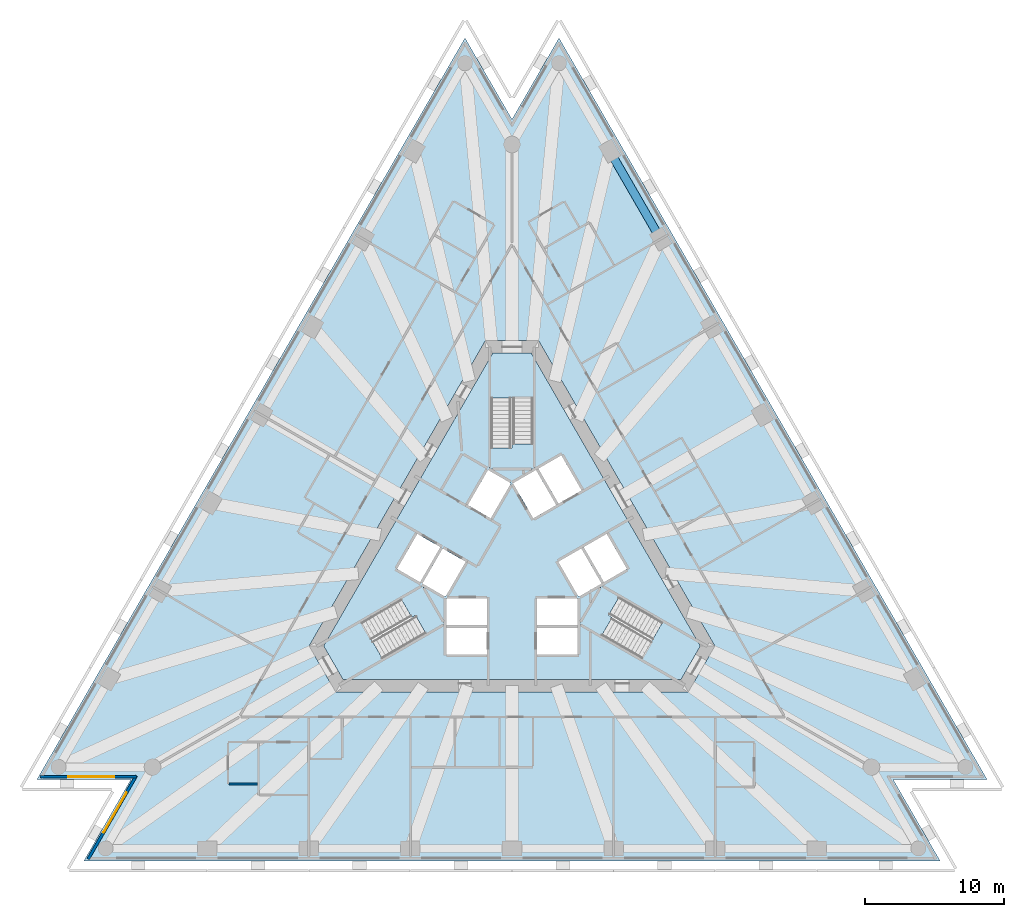
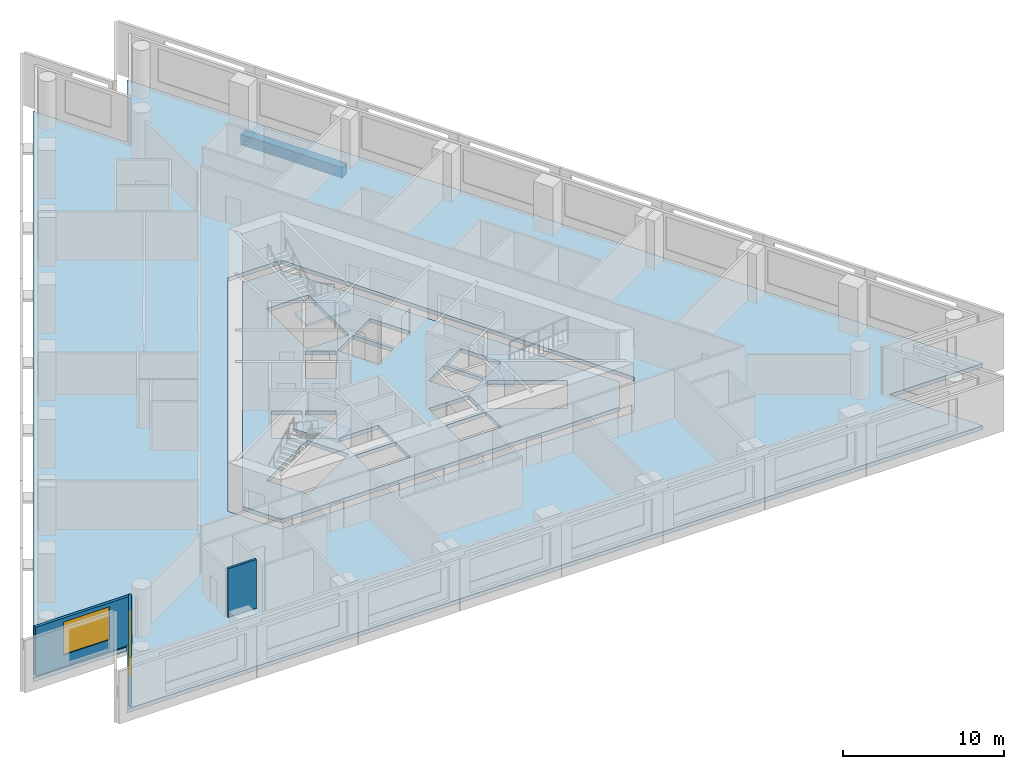
# One storey, part 2 of 11: 5 slabs, 3 walls, 2 windows, 1 beam, 2 openings, 3 elements without a shape of their own.
"""IFC4 building model written with IfcOpenShell, lengths in metres."""

from ifc_helpers import new_model, si_unit, direction, frame, frame_2d, origin, origin_2d, place, context, subcontext, project, spatial, polyline, rectangle, outline, extrude, material, layer, layer_set, layer_usage, material_profile, profile_set, type_object, element, fill, aggregate, save


model = new_model("IFC4")

# Units and contexts
model_context = context("Model", 3, precision=1e-05, world=origin(), true_north=direction((0.0, 1.0)))
body_context = subcontext(model_context, "Body", "Model", "MODEL_VIEW")
ifc_project = project(units=[si_unit("LENGTHUNIT", "METRE"), si_unit("AREAUNIT", "SQUARE_METRE"), si_unit("VOLUMEUNIT", "CUBIC_METRE"), si_unit("PLANEANGLEUNIT", "RADIAN"), si_unit("MASSUNIT", "GRAM", prefix="KILO")], contexts=[model_context])

# Site, building, storey
site_placement = place(None, origin())
site = spatial("IfcSite", under=ifc_project, at=site_placement, CompositionType="ELEMENT")
building_placement = place(site_placement, origin())
building = spatial("IfcBuilding", under=site, at=building_placement, Name="Triada Interchange Tower", CompositionType="ELEMENT")
storey_placement = place(building_placement, frame((0.0, 0.0, 71.300048828125)))
storey = spatial("IfcBuildingStorey", under=building, at=storey_placement, Name="L15", CompositionType="ELEMENT", Elevation=71.300048828125)

# Beam
ifc_material_1 = material(Name="Concrete C50/60", Category="concrete")
ifc_material_profile = material_profile(ifc_material_1, rectangle(XDim=0.60009765625, YDim=0.800048828125, at=origin_2d()), Name="RC 600x800")
ifc_profile_set = profile_set([ifc_material_profile], Name="Concrete C50/60")
beam_type = type_object("IfcBeamType", Name="Spandrel beam A RC 600x800", PredefinedType="BEAM", material=ifc_profile_set)
beam_placement = place(storey_placement, frame((10.657958984375, 22.98388671875, -0.699951171875), z_axis=(-0.499937067856, 0.866061734626, 0.0), x_axis=(-0.866061734626, -0.499937067856, 0.0)))
element("IfcBeam", 1, at=beam_placement, inside=storey, type_object=beam_type, Name="Spandrel beam EA27 L15", PredefinedType="BEAM", context=body_context, shape_type="SweptSolid", body=[
    extrude(rectangle(XDim=0.60009765625, YDim=0.800048828125, at=origin_2d()), origin(), (0.0, 0.0, 1.0), 7.287109375),
])

# Slabs
ifc_layer_1 = layer(ifc_material_1, 0.300048828125)
ifc_layer_set_1 = layer_set([ifc_layer_1], Name="Floor slab 300")
slab_type_1 = type_object("IfcSlabType", Name="Floor slab 300", PredefinedType="FLOOR", material=ifc_layer_set_1)
slab_1_placement = place(storey_placement, frame((0.0, 0.0, -0.300048828125)))
element("IfcSlab", 2, at=slab_1_placement, inside=storey, type_object=slab_type_1, Name="Floor slab L15", PredefinedType="FLOOR", context=body_context, shape_type="SweptSolid", body=[
    extrude(outline(polyline([(-3.37109375, 37.406005859375), (-34.080078125, -15.783935546875), (-27.339111328125, -15.783935546875), (-30.708984375, -21.6220703125), (30.708984375, -21.6220703125), (27.339111328125, -15.783935546875), (34.080078125, -15.783935546875), (3.37109375, 37.406005859375), (0.0, 31.568115234375), (-3.37109375, 37.406005859375)]), holes=[polyline([(1.905029296875, 15.699951171875), (-1.905029296875, 15.699951171875), (-14.549072265625, -6.199951171875), (-12.64404296875, -9.5), (12.64404296875, -9.5), (14.549072265625, -6.199951171875), (1.905029296875, 15.699951171875)])]), origin(), (0.0, 0.0, 1.0), 0.300048828125),
])
slab_2_placement = place(storey_placement, frame((0.0, 0.0, -0.300048828125)))
element("IfcSlab", 3, at=slab_2_placement, inside=storey, type_object=slab_type_1, Name="Core floor slab L15 1", PredefinedType="FLOOR", context=body_context, shape_type="SweptSolid", body=[
    extrude(outline(polyline([(13.510009765625, -6.199951171875), (12.1240234375, -8.60009765625), (-12.1240234375, -8.60009765625), (-13.510009765625, -6.199951171875), (-1.385986328125, 14.800048828125), (1.385986328125, 14.800048828125), (13.510009765625, -6.199951171875)]), holes=[polyline([(9.2958984375, -7.09912109375), (10.7958984375, -4.5009765625), (6.466064453125, -2.0009765625), (4.966064453125, -4.59912109375), (9.2958984375, -7.09912109375)]), polyline([(6.7890625, 1.841064453125), (5.14404296875, 0.89111328125), (6.593994140625, -1.6201171875), (8.239013671875, -0.669921875), (6.7890625, 1.841064453125)]), polyline([(4.969970703125, 0.791015625), (3.324951171875, -0.158935546875), (4.77490234375, -2.669921875), (6.419921875, -1.719970703125), (4.969970703125, 0.791015625)]), polyline([(1.89404296875, 6.52001953125), (3.343994140625, 4.009033203125), (4.989013671875, 4.958984375), (3.5390625, 7.469970703125), (1.89404296875, 6.52001953125)]), polyline([(1.800048828125, -4.89990234375), (1.800048828125, -6.800048828125), (4.699951171875, -6.800048828125), (4.699951171875, -4.89990234375), (1.800048828125, -4.89990234375)]), polyline([(1.800048828125, -2.800048828125), (1.800048828125, -4.031005859375), (1.800048828125, -4.699951171875), (4.699951171875, -4.699951171875), (4.699951171875, -2.800048828125), (1.800048828125, -2.800048828125)]), polyline([(1.52490234375, 2.958984375), (1.68408203125, 3.051025390625), (3.169921875, 3.908935546875), (1.719970703125, 6.419921875), (0.074951171875, 5.469970703125), (1.52490234375, 2.958984375)]), polyline([(1.5, 11.60009765625), (-1.5, 11.60009765625), (-1.5, 6.60009765625), (1.5, 6.60009765625), (1.5, 11.60009765625)]), polyline([(-0.074951171875, 5.469970703125), (-1.719970703125, 6.419921875), (-3.169921875, 3.908935546875), (-1.6298828125, 3.01904296875), (-1.52490234375, 2.958984375), (-0.074951171875, 5.469970703125)]), polyline([(-4.699951171875, -2.800048828125), (-4.699951171875, -4.699951171875), (-1.800048828125, -4.699951171875), (-1.800048828125, -4.031005859375), (-1.800048828125, -2.800048828125), (-4.699951171875, -2.800048828125)]), polyline([(-4.699951171875, -4.89990234375), (-4.699951171875, -6.800048828125), (-1.800048828125, -6.800048828125), (-1.800048828125, -4.89990234375), (-4.699951171875, -4.89990234375)]), polyline([(-4.77490234375, -2.669921875), (-3.324951171875, -0.158935546875), (-4.969970703125, 0.791015625), (-6.419921875, -1.719970703125), (-4.77490234375, -2.669921875)]), polyline([(-10.7958984375, -4.5009765625), (-9.2958984375, -7.09912109375), (-4.966064453125, -4.59912109375), (-6.466064453125, -2.0009765625), (-10.7958984375, -4.5009765625)]), polyline([(-6.593994140625, -1.6201171875), (-5.14404296875, 0.89111328125), (-6.7890625, 1.841064453125), (-8.239013671875, -0.669921875), (-6.593994140625, -1.6201171875)])]), origin(), (0.0, 0.0, 1.0), 0.300048828125),
])

# Stair, slab
ifc_material_2 = material(Name="Concrete C35/45", Category="concrete")
stair_type = type_object("IfcStairType", Name="HALF TURN STAIR 1400", PredefinedType="HALF_TURN_STAIR", material=ifc_material_2)
stair_1_placement = place(storey_placement, origin())
stair_1 = element("IfcStair", 4, at=stair_1_placement, inside=storey, type_object=stair_type, Name="Exit stair S15-1", PredefinedType="HALF_TURN_STAIR")
ifc_layer_2 = layer(ifc_material_2, 0.199951171875)
ifc_layer_set_2 = layer_set([ifc_layer_2], Name="STAIR LANDING 200")
slab_type_2 = type_object("IfcSlabType", Name="STAIR LANDING 200", PredefinedType="LANDING", material=ifc_layer_set_2)
slab_3_placement = place(storey_placement, frame((0.0, 0.0, 1.719970703125)))
slab_3 = element("IfcSlab", 5, at=slab_3_placement, type_object=slab_type_2, Name="S15-1 landing 1", PredefinedType="LANDING", context=body_context, shape_type="SweptSolid", body=[
    extrude(outline(polyline([(1.60009765625, 6.5), (1.60009765625, 8.300048828125), (0.0, 8.300048828125), (0.0, 8.0), (-1.60009765625, 8.0), (-1.60009765625, 6.5), (1.60009765625, 6.5)])), origin(), (0.0, 0.0, 1.0), 0.199951171875),
])
aggregate(stair_1, [slab_3])

stair_2_placement = place(storey_placement, origin())
stair_2 = element("IfcStair", 6, at=stair_2_placement, inside=storey, type_object=stair_type, Name="Exit stair S15-2", PredefinedType="HALF_TURN_STAIR")
slab_4_placement = place(storey_placement, frame((0.0, 0.0, 1.719970703125)))
slab_4 = element("IfcSlab", 7, at=slab_4_placement, type_object=slab_type_2, Name="S15-2 landing 1", PredefinedType="LANDING", context=body_context, shape_type="SweptSolid", body=[
    extrude(outline(polyline([(-6.428955078125, -1.864013671875), (-7.988037109375, -2.763916015625), (-7.18798828125, -4.14990234375), (-6.927978515625, -4.0), (-6.1279296875, -5.385986328125), (-4.8291015625, -4.635986328125), (-6.428955078125, -1.864013671875)])), origin(), (0.0, 0.0, 1.0), 0.199951171875),
])
aggregate(stair_2, [slab_4])

stair_3_placement = place(storey_placement, origin())
stair_3 = element("IfcStair", 8, at=stair_3_placement, inside=storey, type_object=stair_type, Name="Exit stair S15-3", PredefinedType="HALF_TURN_STAIR")
slab_5_placement = place(storey_placement, frame((0.0, 0.0, 1.719970703125)))
slab_5 = element("IfcSlab", 9, at=slab_5_placement, type_object=slab_type_2, Name="S15-3 landing 1", PredefinedType="LANDING", context=body_context, shape_type="SweptSolid", body=[
    extrude(outline(polyline([(4.8291015625, -4.635986328125), (6.387939453125, -5.535888671875), (7.18798828125, -4.14990234375), (6.927978515625, -4.0), (7.72802734375, -2.614013671875), (6.428955078125, -1.864013671875), (4.8291015625, -4.635986328125)])), origin(), (0.0, 0.0, 1.0), 0.199951171875),
])
aggregate(stair_3, [slab_5])

# Wall, opening, window
ifc_material_3 = material(Name="Cement board")
ifc_layer_3 = layer(ifc_material_3, 0.02001953125, Name="Cement board cladding")
ifc_material_4 = material(Name="Sheathing board")
ifc_layer_4 = layer(ifc_material_4, 0.014892578125, Name="Sheathing board")
ifc_material_5 = material(Name="Mineral wool")
ifc_layer_5 = layer(ifc_material_5, 0.14990234375, Name="Mineral wool between steel studs")
ifc_material_6 = material(Name="Gypsum board")
ifc_layer_6 = layer(ifc_material_6, 0.014892578125, Name="Plasterboard lining")
ifc_layer_set_3 = layer_set([ifc_layer_3, ifc_layer_4, ifc_layer_5, ifc_layer_6], Name="External wall 200")
ifc_layer_usage = layer_usage(ifc_layer_set_3, "AXIS2", "POSITIVE", -0.10009765625)
wall_type_1 = type_object("IfcWallType", Name="External wall 200", PredefinedType="ELEMENTEDWALL", material=ifc_layer_set_3)
wall_1_placement = place(storey_placement, frame((-33.823974609375, -15.583984375, 0.0), z_axis=(0.0, 0.0, 1.0), x_axis=(1.0, 0.0, 0.0)))
wall_1 = element("IfcWall", 10, at=wall_1_placement, inside=storey, type_object=wall_type_1, material=ifc_layer_usage, Name="External wall L15 SW-1", PredefinedType="ELEMENTEDWALL", context=body_context, shape_type="SweptSolid", body=[
    extrude(rectangle(XDim=6.90087890625, YDim=0.199951171875, at=frame_2d((3.450439453125, 0.0))), origin(), (0.0, 0.0, 1.0), 3.699951171875),
])
opening_1_placement = place(wall_1_placement, frame((1.989990234375, 0.0, 0.89990234375)))
opening_1 = element("IfcOpeningElement", 11, at=opening_1_placement, cuts=wall_1, Name="Opening WA09", PredefinedType="OPENING", context=body_context, shape_type="SweptSolid", body=[
    extrude(rectangle(XDim=3.300048828125, YDim=2.5, at=frame_2d((1.64990234375, 1.25))), frame((0.0, 0.10986328125, 0.0), z_axis=(0.0, -1.0, 0.0), x_axis=(1.0, 0.0, 0.0)), (0.0, 0.0, 1.0), 0.219970703125),
])
ifc_material_7 = material(Name="Double glazed aluminium window", Category="aluminium")
window_type = type_object("IfcWindowType", Name="Ribbon window A pocket", PartitioningType="SINGLE_PANEL", PredefinedType="WINDOW", material=ifc_material_7)
window_1_placement = place(opening_1_placement, origin())
window_1 = element("IfcWindow", 12, at=window_1_placement, inside=storey, type_object=window_type, Name="Window L15 SW-1 1", OverallHeight=2.5, OverallWidth=3.300048828125, PartitioningType="SINGLE_PANEL", PredefinedType="WINDOW", context=body_context, shape_type="SweptSolid", body=[
    extrude(rectangle(XDim=3.300048828125, YDim=2.5, at=frame_2d((1.64990234375, 1.25))), frame((0.0, 0.030029296875, 0.0), z_axis=(0.0, -1.0, 0.0), x_axis=(1.0, 0.0, 0.0)), (0.0, 0.0, 1.0), 0.06005859375),
])
fill(opening_1, window_1)

wall_2_placement = place(storey_placement, frame((-26.947998046875, -15.506103515625, 0.0), z_axis=(0.0, 0.0, 1.0), x_axis=(-0.499917428568, -0.866073071175, 0.0)))
wall_2 = element("IfcWall", 13, at=wall_2_placement, inside=storey, type_object=wall_type_1, material=ifc_layer_usage, Name="External wall L15 SW-2", PredefinedType="ELEMENTEDWALL", context=body_context, shape_type="SweptSolid", body=[
    extrude(rectangle(XDim=6.901123046875, YDim=0.199951171875, at=frame_2d((3.45068359375, 0.0))), origin(), (0.0, 0.0, 1.0), 3.699951171875),
])
opening_2_placement = place(wall_2_placement, frame((1.389892578125, 0.0, 0.89990234375)))
opening_2 = element("IfcOpeningElement", 14, at=opening_2_placement, cuts=wall_2, Name="Opening WA10", PredefinedType="OPENING", context=body_context, shape_type="SweptSolid", body=[
    extrude(rectangle(XDim=3.300048828125, YDim=2.5, at=frame_2d((1.64990234375, 1.25))), frame((0.0, 0.10986328125, 0.0), z_axis=(0.0, -1.0, 0.0), x_axis=(1.0, 0.0, 0.0)), (0.0, 0.0, 1.0), 0.219970703125),
])
window_2_placement = place(opening_2_placement, origin())
window_2 = element("IfcWindow", 15, at=window_2_placement, inside=storey, type_object=window_type, Name="Window L15 SW-2 1", OverallHeight=2.5, OverallWidth=3.300048828125, PartitioningType="SINGLE_PANEL", PredefinedType="WINDOW", context=body_context, shape_type="SweptSolid", body=[
    extrude(rectangle(XDim=3.300048828125, YDim=2.5, at=frame_2d((1.64990234375, 1.25))), frame((0.0, 0.030029296875, 0.0), z_axis=(0.0, -1.0, 0.0), x_axis=(1.0, 0.0, 0.0)), (0.0, 0.0, 1.0), 0.06005859375),
])
fill(opening_2, window_2)

# Wall
ifc_material_8 = material(Name="Gypsum board partition")
ifc_layer_7 = layer(ifc_material_8, 0.14990234375)
ifc_layer_set_4 = layer_set([ifc_layer_7], Name="PARTITION 150 EI 90")
wall_type_2 = type_object("IfcWallType", Name="PARTITION 150 EI 90", PredefinedType="PARTITIONING", material=ifc_layer_set_4)
wall_3_placement = place(storey_placement, frame((-20.300048828125, -16.10009765625, 0.0), z_axis=(0.0, 0.0, 1.0), x_axis=(1.0, 0.0, 0.0)))
element("IfcWall", 16, at=wall_3_placement, inside=storey, type_object=wall_type_2, Name="Wall L15 38", PredefinedType="PARTITIONING", context=body_context, shape_type="SweptSolid", body=[
    extrude(rectangle(XDim=2.050048828125, YDim=0.14990234375, at=frame_2d((1.02490234375, 0.0))), origin(), (0.0, 0.0, 1.0), 3.699951171875),
])

save(model, "model.ifc")
